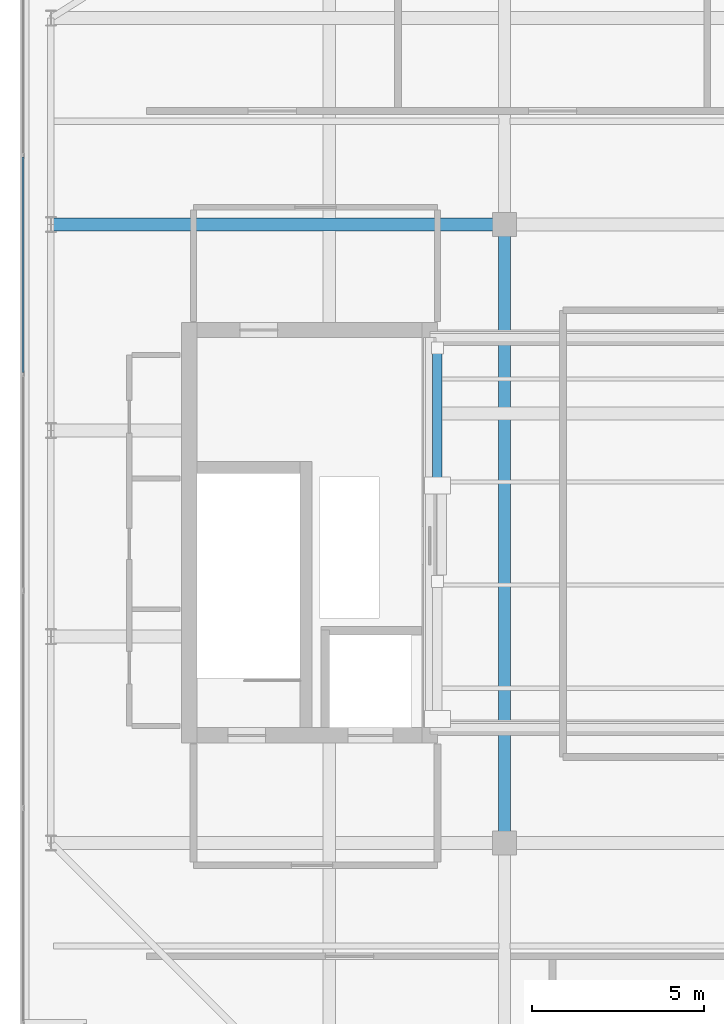
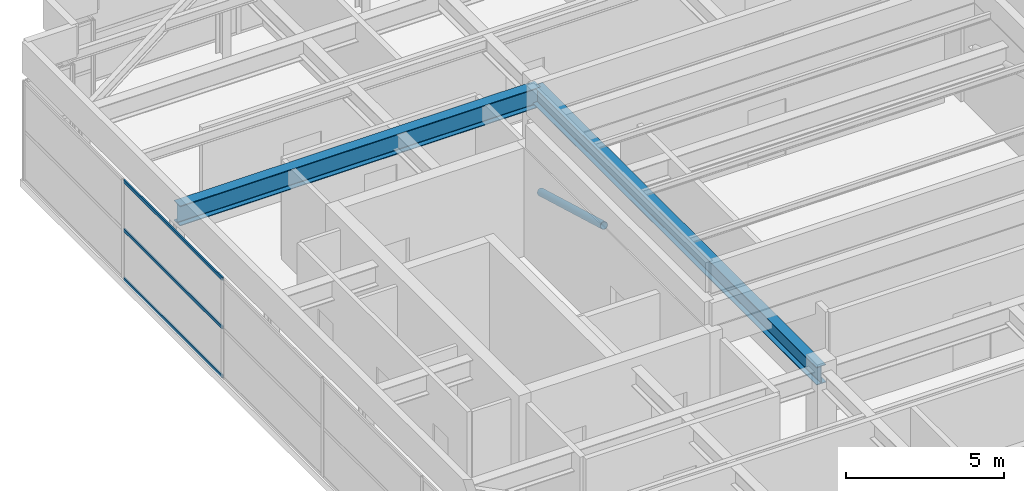
# One storey, part 12 of 33: 4 members, 2 beams, 1 element without a shape of its own.
"""IFC4 building model written with IfcOpenShell, lengths in metres."""

from ifc_helpers import new_model, si_unit, direction, frame, origin, origin_2d, place, context, subcontext, project, spatial, hollow_rectangle, hollow_circle, i_section, extrude, source, transform, mapped, material, layer, layer_set, material_profile, profile_set, type_object, element, aggregate, save


model = new_model("IFC4")

# Units and contexts
model_context = context("Model", 3, precision=1e-05, world=origin(), true_north=direction((0.0, 1.0)))
body_context = subcontext(model_context, "Body", "Model", "MODEL_VIEW")
ifc_project = project(units=[si_unit("LENGTHUNIT", "METRE"), si_unit("AREAUNIT", "SQUARE_METRE"), si_unit("VOLUMEUNIT", "CUBIC_METRE"), si_unit("PLANEANGLEUNIT", "RADIAN"), si_unit("MASSUNIT", "GRAM", prefix="KILO")], contexts=[model_context])

# Site, building, storey
site_placement = place(None, origin())
site = spatial("IfcSite", under=ifc_project, at=site_placement, CompositionType="ELEMENT")
building_placement = place(site_placement, origin())
building = spatial("IfcBuilding", under=site, at=building_placement, Name="Khoralis Quay Care Tower", CompositionType="ELEMENT")
storey_placement = place(building_placement, frame((0.0, 0.0, 314.699951171875)))
storey = spatial("IfcBuildingStorey", under=building, at=storey_placement, Name="L82", CompositionType="ELEMENT", Elevation=314.699951171875)

# Beams
ifc_material_1 = material(Name="Steel S355", Category="steel")
ifc_material_profile_1 = material_profile(ifc_material_1, i_section(OverallWidth=0.35498046875, OverallDepth=0.695068359375, WebThickness=0.015380859375, FlangeThickness=0.02490234375, FilletRadius=0.02001953125, at=origin_2d()), Name="Steel S355")
ifc_profile_set_1 = profile_set([ifc_material_profile_1], Name="Steel S355")
beam_type_1 = type_object("IfcBeamType", Name="BM-W690X217", PredefinedType="BEAM", material=ifc_profile_set_1)
shared_shape_1 = source(origin(), body_context, "Body", "SweptSolid", [
    extrude(i_section(OverallWidth=0.35498046875, OverallDepth=0.695068359375, WebThickness=0.015380859375, FlangeThickness=0.02490234375, FilletRadius=0.02001953125, at=origin_2d()), origin(), (0.0, 0.0, 1.0), 18.0),
])
beam_1_placement = place(storey_placement, frame((17.10009765625, 12.0, 3.492431640625), z_axis=(0.0, 1.0, 0.0), x_axis=(-1.0, 0.0, 0.0)))
element("IfcBeam", 1, at=beam_1_placement, inside=storey, type_object=beam_type_1, Name="BM-TGSW-L82", PredefinedType="BEAM", context=body_context, shape_type="MappedRepresentation", body=[
    mapped(shared_shape_1, transform((0.0, 0.0, 0.0), scale=1.0)),
])
ifc_material_profile_2 = material_profile(ifc_material_1, i_section(OverallWidth=0.381103515625, OverallDepth=0.77294921875, WebThickness=0.0166015625, FlangeThickness=0.027587890625, FilletRadius=0.02197265625, at=origin_2d()), Name="Steel S355")
ifc_profile_set_2 = profile_set([ifc_material_profile_2], Name="Steel S355")
beam_type_2 = type_object("IfcBeamType", Name="BM-W760X257", PredefinedType="BEAM", material=ifc_profile_set_2)
shared_shape_2 = source(origin(), body_context, "Body", "SweptSolid", [
    extrude(i_section(OverallWidth=0.381103515625, OverallDepth=0.77294921875, WebThickness=0.0166015625, FlangeThickness=0.027587890625, FilletRadius=0.02197265625, at=origin_2d()), origin(), (0.0, 0.0, 1.0), 13.2001953125),
])
beam_2_placement = place(storey_placement, frame((3.89990234375, 30.0, 3.45361328125), z_axis=(1.0, 0.0, 0.0), x_axis=(0.0, 1.0, 0.0)))
element("IfcBeam", 2, at=beam_2_placement, inside=storey, type_object=beam_type_2, Name="BM-TGXW-L82-300", PredefinedType="BEAM", context=body_context, shape_type="MappedRepresentation", body=[
    mapped(shared_shape_2, transform((0.0, 0.0, 0.0), scale=1.0)),
])

# Member
ifc_material_profile_3 = material_profile(ifc_material_1, hollow_circle(Radius=0.136474609375, WallThickness=0.012451171875, at=origin_2d()), Name="Steel S355")
ifc_profile_set_3 = profile_set([ifc_material_profile_3], Name="Steel S355")
member_type_1 = type_object("IfcMemberType", Name="ST-CHS273X12", PredefinedType="STRUT", material=ifc_profile_set_3)
shared_shape_3 = source(origin(), body_context, "Body", "SweptSolid", [
    extrude(hollow_circle(Radius=0.136474609375, WallThickness=0.012451171875, at=origin_2d()), origin(), (0.0, 0.0, 1.0), 4.156494140625),
])
member_1_placement = place(storey_placement, frame((15.14794921875, 22.39990234375, 3.650146484375), z_axis=(0.0, 0.962328782221, -0.271888423639), x_axis=(-1.0, 0.0, 0.0)))
element("IfcMember", 3, at=member_1_placement, inside=storey, type_object=member_type_1, Name="L82 Lantern Diagrid Strut 2", PredefinedType="STRUT", context=body_context, shape_type="MappedRepresentation", body=[
    mapped(shared_shape_3, transform((0.0, 0.0, 0.0), scale=1.0)),
])

# Curtain wall, members
ifc_material_2 = material(Name="Pale anodised aluminium", Category="aluminium")
ifc_layer = layer(ifc_material_2, 0.199951171875)
ifc_layer_set = layer_set([ifc_layer], Name="Pale anodised aluminium")
curtain_wall_type = type_object("IfcCurtainWallType", Name="CW-SYS-LANTERN", PredefinedType="NOTDEFINED", material=ifc_layer_set)
curtain_wall_placement = place(storey_placement, origin())
curtain_wall = element("IfcCurtainWall", 4, at=curtain_wall_placement, inside=storey, type_object=curtain_wall_type, Name="L82 Unitised Curtain Wall CW-LN-L82-16", PredefinedType="NOTDEFINED")
ifc_material_profile_4 = material_profile(ifc_material_2, hollow_rectangle(XDim=0.054931640625, YDim=0.1201171875, WallThickness=0.00390625, at=origin_2d()), Name="Pale anodised aluminium")
ifc_profile_set_4 = profile_set([ifc_material_profile_4], Name="Pale anodised aluminium")
member_type_2 = type_object("IfcMemberType", Name="CW-TRN-120", PredefinedType="USERDEFINED", material=ifc_profile_set_4)
shared_shape_4 = source(origin(), body_context, "Body", "SweptSolid", [
    extrude(hollow_rectangle(XDim=0.054931640625, YDim=0.1201171875, WallThickness=0.00390625, at=origin_2d()), origin(), (0.0, 0.0, 1.0), 6.26416015625),
])
member_2_placement = place(storey_placement, frame((3.090087890625, 31.9560546875, 0.030029296875), z_axis=(0.0, -1.0, 0.0), x_axis=(1.0, 0.0, 0.0)))
member_2 = element("IfcMember", 5, at=member_2_placement, type_object=member_type_2, Name="CW5 transom 2.1", ObjectType="TRANSOM", PredefinedType="USERDEFINED", context=body_context, shape_type="MappedRepresentation", body=[
    mapped(shared_shape_4, transform((0.0, 0.0, 0.0), scale=1.0)),
])
member_3_placement = place(storey_placement, frame((3.090087890625, 31.9560546875, 1.920166015625), z_axis=(0.0, -1.0, 0.0), x_axis=(1.0, 0.0, 0.0)))
member_3 = element("IfcMember", 6, at=member_3_placement, type_object=member_type_2, Name="CW5 transom 2.2", ObjectType="TRANSOM", PredefinedType="USERDEFINED", context=body_context, shape_type="MappedRepresentation", body=[
    mapped(shared_shape_4, transform((0.0, 0.0, 0.0), scale=1.0)),
])
member_4_placement = place(storey_placement, frame((3.090087890625, 31.9560546875, 3.81005859375), z_axis=(0.0, -1.0, 0.0), x_axis=(1.0, 0.0, 0.0)))
member_4 = element("IfcMember", 7, at=member_4_placement, type_object=member_type_2, Name="CW5 transom 2.3", ObjectType="TRANSOM", PredefinedType="USERDEFINED", context=body_context, shape_type="MappedRepresentation", body=[
    mapped(shared_shape_4, transform((0.0, 0.0, 0.0), scale=1.0)),
])
aggregate(curtain_wall, [member_2, member_3, member_4])

save(model, "model.ifc")
